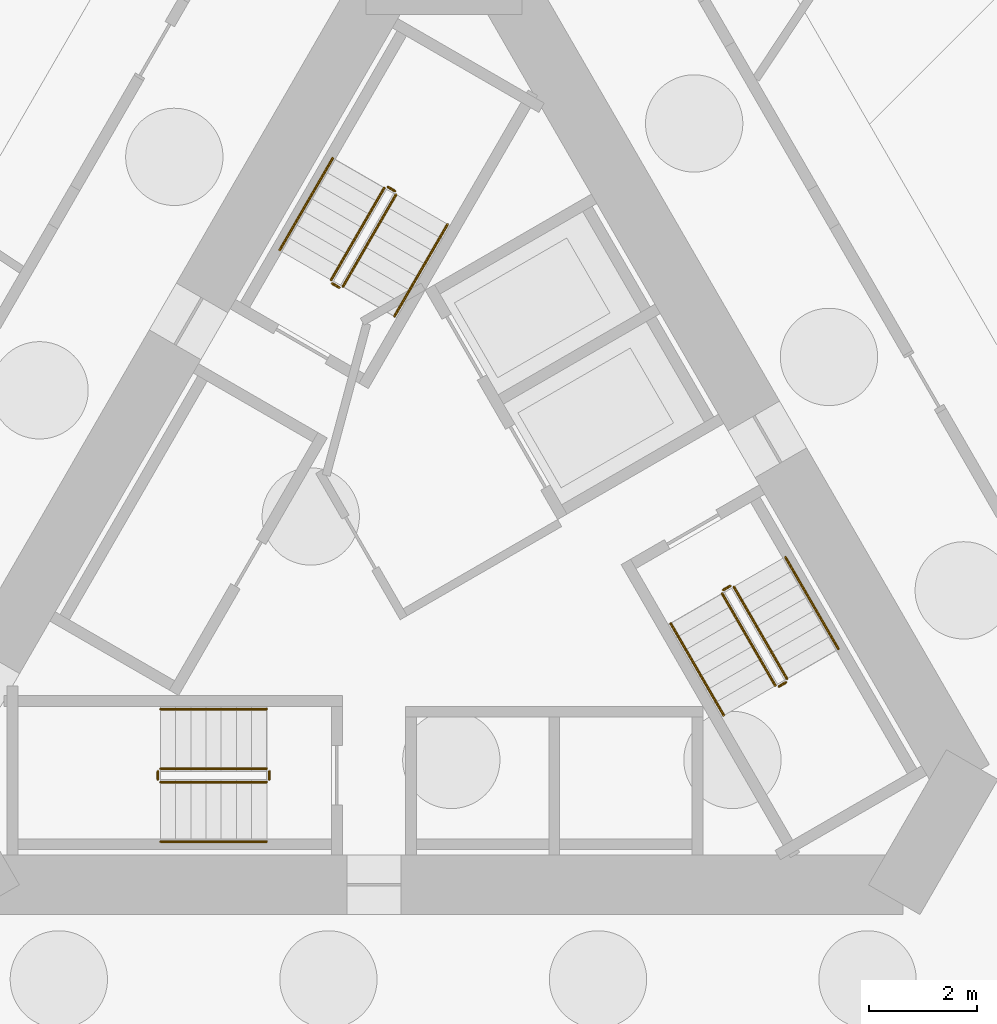
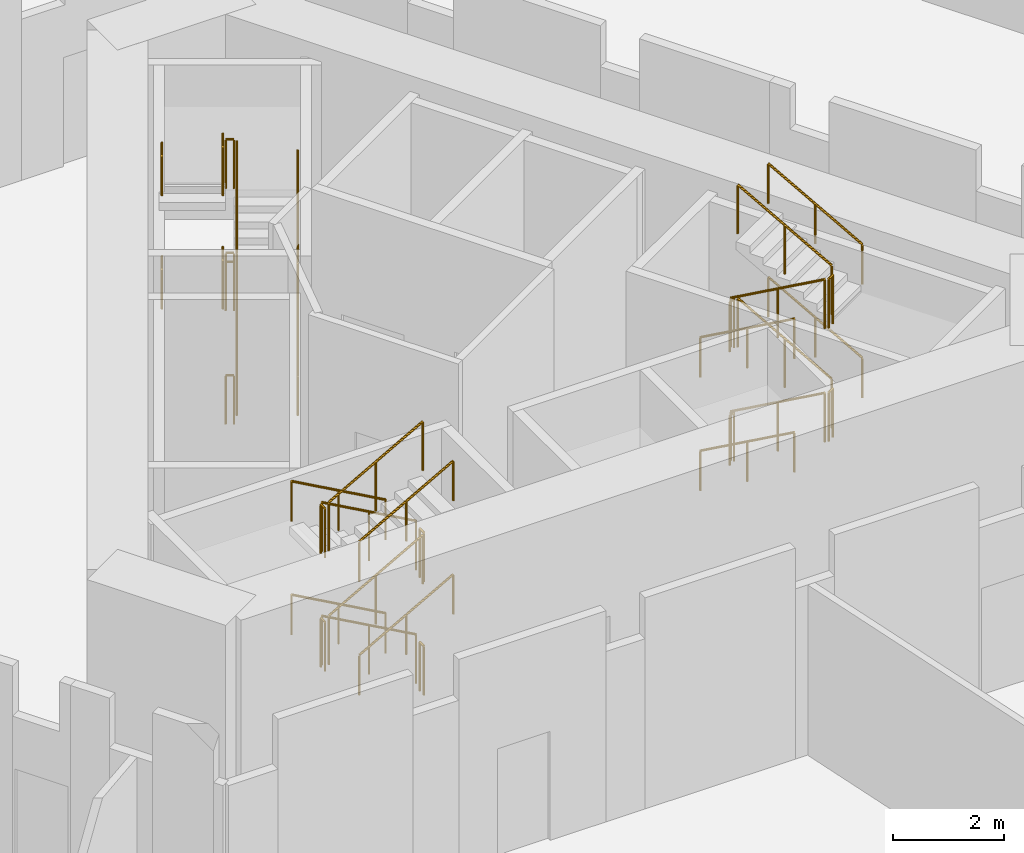
# One storey, part 6 of 7: 36 railings.
"""IFC4 building model written with IfcOpenShell, lengths in metres."""

from ifc_helpers import new_model, si_unit, direction, frame, origin, origin_2d, place, context, subcontext, project, spatial, circle, extrude, material, type_object, element, save


model = new_model("IFC4")

# Units and contexts
model_context = context("Model", 3, precision=1e-05, world=origin(), true_north=direction((0.0, 1.0)))
body_context = subcontext(model_context, "Body", "Model", "MODEL_VIEW")
ifc_project = project(units=[si_unit("LENGTHUNIT", "METRE"), si_unit("AREAUNIT", "SQUARE_METRE"), si_unit("VOLUMEUNIT", "CUBIC_METRE"), si_unit("PLANEANGLEUNIT", "RADIAN"), si_unit("MASSUNIT", "GRAM", prefix="KILO")], contexts=[model_context])

# Site, building, storey
site_placement = place(None, origin())
site = spatial("IfcSite", under=ifc_project, at=site_placement, CompositionType="ELEMENT")
building_placement = place(site_placement, origin())
building = spatial("IfcBuilding", under=site, at=building_placement, Name="Tramontana Tower", CompositionType="ELEMENT")
storey_placement = place(building_placement, frame((0.0, 0.0, -5.0)))
storey = spatial("IfcBuildingStorey", under=building, at=storey_placement, Name="B1", CompositionType="ELEMENT", Elevation=-5.0)

# Railings
ifc_material_1 = material(Name="Painted steel", Category="steel")
railing_type_1 = type_object("IfcRailingType", Name="STAIR GUARD 1100", PredefinedType="GUARDRAIL", material=ifc_material_1)
railing_1_placement = place(storey_placement, frame((-1.867431640625, 4.865478515625, 0.15625)))
element("IfcRailing", 1, at=railing_1_placement, inside=storey, type_object=railing_type_1, Name="B1 ST1 stair guard 1", PredefinedType="GUARDRAIL", context=body_context, shape_type="SweptSolid", body=[
    extrude(circle(Radius=0.02392578125, at=origin_2d()), frame((0.0, 0.0, 1.076171875), z_axis=(0.436596390967, 0.756266742998, 0.487282469241), x_axis=(-0.866042469362, 0.499970440388, 0.0)), (0.0, 0.0, 1.0), 2.24462890625),
    extrude(circle(Radius=0.02099609375, at=origin_2d()), origin(), (0.0, 0.0, 1.0), 1.052001953125),
    extrude(circle(Radius=0.02099609375, at=origin_2d()), frame((0.489990234375, 0.8486328125, 0.546875)), (0.0, 0.0, 1.0), 1.052001953125),
    extrude(circle(Radius=0.02099609375, at=origin_2d()), frame((0.97998046875, 1.697509765625, 1.09375)), (0.0, 0.0, 1.0), 1.052001953125),
])
railing_2_placement = place(storey_placement, frame((-1.10400390625, 6.68798828125, 1.40625)))
element("IfcRailing", 2, at=railing_2_placement, inside=storey, type_object=railing_type_1, Name="B1 ST1 stair guard 2", PredefinedType="GUARDRAIL", context=body_context, shape_type="SweptSolid", body=[
    extrude(circle(Radius=0.02392578125, at=origin_2d()), frame((0.0, 0.0, 1.076171875), z_axis=(-0.436596390967, -0.756266742998, 0.487282469241), x_axis=(0.866042469362, -0.499970440388, 0.0)), (0.0, 0.0, 1.0), 2.24462890625),
    extrude(circle(Radius=0.02099609375, at=origin_2d()), origin(), (0.0, 0.0, 1.0), 1.052001953125),
    extrude(circle(Radius=0.02099609375, at=origin_2d()), frame((-0.489990234375, -0.8486328125, 0.546875)), (0.0, 0.0, 1.0), 1.052001953125),
    extrude(circle(Radius=0.02099609375, at=origin_2d()), frame((-0.97998046875, -1.697509765625, 1.09375)), (0.0, 0.0, 1.0), 1.052001953125),
])
railing_3_placement = place(storey_placement, frame((-1.867431640625, 4.865478515625, 2.65625)))
element("IfcRailing", 3, at=railing_3_placement, inside=storey, type_object=railing_type_1, Name="B1 ST1 stair guard 3", PredefinedType="GUARDRAIL", context=body_context, shape_type="SweptSolid", body=[
    extrude(circle(Radius=0.02392578125, at=origin_2d()), frame((0.0, 0.0, 1.076171875), z_axis=(0.436596390967, 0.756266742998, 0.487282469241), x_axis=(-0.866042469362, 0.499970440388, 0.0)), (0.0, 0.0, 1.0), 2.24462890625),
    extrude(circle(Radius=0.02099609375, at=origin_2d()), origin(), (0.0, 0.0, 1.0), 1.052001953125),
    extrude(circle(Radius=0.02099609375, at=origin_2d()), frame((0.489990234375, 0.8486328125, 0.546875)), (0.0, 0.0, 1.0), 1.052001953125),
    extrude(circle(Radius=0.02099609375, at=origin_2d()), frame((0.97998046875, 1.697509765625, 1.09375)), (0.0, 0.0, 1.0), 1.052001953125),
])
railing_4_placement = place(storey_placement, frame((-1.10400390625, 6.68798828125, 3.90625)))
element("IfcRailing", 4, at=railing_4_placement, inside=storey, type_object=railing_type_1, Name="B1 ST1 stair guard 4", PredefinedType="GUARDRAIL", context=body_context, shape_type="SweptSolid", body=[
    extrude(circle(Radius=0.02392578125, at=origin_2d()), frame((0.0, 0.0, 1.076171875), z_axis=(-0.436596390967, -0.756266742998, 0.487282469241), x_axis=(0.866042469362, -0.499970440388, 0.0)), (0.0, 0.0, 1.0), 2.24462890625),
    extrude(circle(Radius=0.02099609375, at=origin_2d()), origin(), (0.0, 0.0, 1.0), 1.052001953125),
    extrude(circle(Radius=0.02099609375, at=origin_2d()), frame((-0.489990234375, -0.8486328125, 0.546875)), (0.0, 0.0, 1.0), 1.052001953125),
    extrude(circle(Radius=0.02099609375, at=origin_2d()), frame((-0.97998046875, -1.697509765625, 1.09375)), (0.0, 0.0, 1.0), 1.052001953125),
])
railing_5_placement = place(storey_placement, frame((-0.90576171875, 6.63134765625, 1.25)))
element("IfcRailing", 5, at=railing_5_placement, inside=storey, type_object=railing_type_1, Name="B1 ST1 stair guard 5", PredefinedType="GUARDRAIL", context=body_context, shape_type="SweptSolid", body=[
    extrude(circle(Radius=0.02392578125, at=origin_2d()), frame((0.0, 0.0, 1.076171875), z_axis=(-0.866131372301, 0.499816412211, 0.0), x_axis=(-0.499816412211, -0.866131372301, 0.0)), (0.0, 0.0, 1.0), 0.14990234375),
    extrude(circle(Radius=0.02099609375, at=origin_2d()), origin(), (0.0, 0.0, 1.0), 1.052001953125),
    extrude(circle(Radius=0.02099609375, at=origin_2d()), frame((-0.1298828125, 0.074951171875, 0.0)), (0.0, 0.0, 1.0), 1.052001953125),
])
railing_6_placement = place(storey_placement, frame((-1.935791015625, 4.84716796875, 2.5)))
element("IfcRailing", 6, at=railing_6_placement, inside=storey, type_object=railing_type_1, Name="B1 ST1 stair guard 6", PredefinedType="GUARDRAIL", context=body_context, shape_type="SweptSolid", body=[
    extrude(circle(Radius=0.02392578125, at=origin_2d()), frame((0.0, 0.0, 1.076171875), z_axis=(-0.865426285481, 0.501036270542, 0.0), x_axis=(-0.501036270542, -0.865426285481, 0.0)), (0.0, 0.0, 1.0), 0.150146484375),
    extrude(circle(Radius=0.02099609375, at=origin_2d()), origin(), (0.0, 0.0, 1.0), 1.052001953125),
    extrude(circle(Radius=0.02099609375, at=origin_2d()), frame((-0.1298828125, 0.0751953125, 0.0)), (0.0, 0.0, 1.0), 1.052001953125),
])
railing_7_placement = place(storey_placement, frame((-0.90576171875, 6.63134765625, 3.75)))
element("IfcRailing", 7, at=railing_7_placement, inside=storey, type_object=railing_type_1, Name="B1 ST1 stair guard 7", PredefinedType="GUARDRAIL", context=body_context, shape_type="SweptSolid", body=[
    extrude(circle(Radius=0.02392578125, at=origin_2d()), frame((0.0, 0.0, 1.076171875), z_axis=(-0.866131372301, 0.499816412211, 0.0), x_axis=(-0.499816412211, -0.866131372301, 0.0)), (0.0, 0.0, 1.0), 0.14990234375),
    extrude(circle(Radius=0.02099609375, at=origin_2d()), origin(), (0.0, 0.0, 1.0), 1.052001953125),
    extrude(circle(Radius=0.02099609375, at=origin_2d()), frame((-0.1298828125, 0.074951171875, 0.0)), (0.0, 0.0, 1.0), 1.052001953125),
])
railing_8_placement = place(storey_placement, frame((-1.935791015625, 4.84716796875, 0.0)))
element("IfcRailing", 8, at=railing_8_placement, inside=storey, type_object=railing_type_1, Name="B1 ST1 stair guard 8", PredefinedType="GUARDRAIL", context=body_context, shape_type="SweptSolid", body=[
    extrude(circle(Radius=0.02392578125, at=origin_2d()), frame((0.0, 0.0, 1.076171875), z_axis=(-0.865426285481, 0.501036270542, 0.0), x_axis=(-0.501036270542, -0.865426285481, 0.0)), (0.0, 0.0, 1.0), 0.150146484375),
    extrude(circle(Radius=0.02099609375, at=origin_2d()), origin(), (0.0, 0.0, 1.0), 1.052001953125),
    extrude(circle(Radius=0.02099609375, at=origin_2d()), frame((-0.1298828125, 0.0751953125, 0.0)), (0.0, 0.0, 1.0), 1.052001953125),
])
railing_9_placement = place(storey_placement, frame((-3.280029296875, -4.050048828125, 0.15625)))
element("IfcRailing", 9, at=railing_9_placement, inside=storey, type_object=railing_type_1, Name="B1 ST2 stair guard 1", PredefinedType="GUARDRAIL", context=body_context, shape_type="SweptSolid", body=[
    extrude(circle(Radius=0.02392578125, at=origin_2d()), frame((0.0, 0.0, 1.076171875), z_axis=(-0.873232148454, 0.0, 0.487304437602), x_axis=(0.0, -1.0, 0.0)), (0.0, 0.0, 1.0), 2.244384765625),
    extrude(circle(Radius=0.02099609375, at=origin_2d()), origin(), (0.0, 0.0, 1.0), 1.052001953125),
    extrude(circle(Radius=0.02099609375, at=origin_2d()), frame((-0.97998046875, 0.0, 0.546875)), (0.0, 0.0, 1.0), 1.052001953125),
    extrude(circle(Radius=0.02099609375, at=origin_2d()), frame((-1.9599609375, 0.0, 1.09375)), (0.0, 0.0, 1.0), 1.052001953125),
])
railing_10_placement = place(storey_placement, frame((-5.239990234375, -4.300048828125, 1.40625)))
element("IfcRailing", 10, at=railing_10_placement, inside=storey, type_object=railing_type_1, Name="B1 ST2 stair guard 2", PredefinedType="GUARDRAIL", context=body_context, shape_type="SweptSolid", body=[
    extrude(circle(Radius=0.02392578125, at=origin_2d()), frame((0.0, 0.0, 1.076171875), z_axis=(0.873232148454, 0.0, 0.487304437602), x_axis=(0.0, 1.0, 0.0)), (0.0, 0.0, 1.0), 2.244384765625),
    extrude(circle(Radius=0.02099609375, at=origin_2d()), origin(), (0.0, 0.0, 1.0), 1.052001953125),
    extrude(circle(Radius=0.02099609375, at=origin_2d()), frame((0.97998046875, 0.0, 0.546875)), (0.0, 0.0, 1.0), 1.052001953125),
    extrude(circle(Radius=0.02099609375, at=origin_2d()), frame((1.9599609375, 0.0, 1.09375)), (0.0, 0.0, 1.0), 1.052001953125),
])
railing_11_placement = place(storey_placement, frame((-3.280029296875, -4.050048828125, 2.65625)))
element("IfcRailing", 11, at=railing_11_placement, inside=storey, type_object=railing_type_1, Name="B1 ST2 stair guard 3", PredefinedType="GUARDRAIL", context=body_context, shape_type="SweptSolid", body=[
    extrude(circle(Radius=0.02392578125, at=origin_2d()), frame((0.0, 0.0, 1.076171875), z_axis=(-0.873232148454, 0.0, 0.487304437602), x_axis=(0.0, -1.0, 0.0)), (0.0, 0.0, 1.0), 2.244384765625),
    extrude(circle(Radius=0.02099609375, at=origin_2d()), origin(), (0.0, 0.0, 1.0), 1.052001953125),
    extrude(circle(Radius=0.02099609375, at=origin_2d()), frame((-0.97998046875, 0.0, 0.546875)), (0.0, 0.0, 1.0), 1.052001953125),
    extrude(circle(Radius=0.02099609375, at=origin_2d()), frame((-1.9599609375, 0.0, 1.09375)), (0.0, 0.0, 1.0), 1.052001953125),
])
railing_12_placement = place(storey_placement, frame((-5.239990234375, -4.300048828125, 3.90625)))
element("IfcRailing", 12, at=railing_12_placement, inside=storey, type_object=railing_type_1, Name="B1 ST2 stair guard 4", PredefinedType="GUARDRAIL", context=body_context, shape_type="SweptSolid", body=[
    extrude(circle(Radius=0.02392578125, at=origin_2d()), frame((0.0, 0.0, 1.076171875), z_axis=(0.873232148454, 0.0, 0.487304437602), x_axis=(0.0, 1.0, 0.0)), (0.0, 0.0, 1.0), 2.244384765625),
    extrude(circle(Radius=0.02099609375, at=origin_2d()), origin(), (0.0, 0.0, 1.0), 1.052001953125),
    extrude(circle(Radius=0.02099609375, at=origin_2d()), frame((0.97998046875, 0.0, 0.546875)), (0.0, 0.0, 1.0), 1.052001953125),
    extrude(circle(Radius=0.02099609375, at=origin_2d()), frame((1.9599609375, 0.0, 1.09375)), (0.0, 0.0, 1.0), 1.052001953125),
])
for number, where, name in (
    (13, (-5.2900390625, -4.10009765625, 1.25), "B1 ST2 stair guard 5"),
    (14, (-3.22998046875, -4.10009765625, 2.5), "B1 ST2 stair guard 6"),
    (15, (-5.2900390625, -4.10009765625, 3.75), "B1 ST2 stair guard 7"),
    (16, (-3.22998046875, -4.10009765625, 0.0), "B1 ST2 stair guard 8"),
):
    element("IfcRailing", number, at=place(storey_placement, frame(where)), inside=storey, type_object=railing_type_1, Name=name, PredefinedType="GUARDRAIL", context=body_context, shape_type="SweptSolid", body=[
        extrude(circle(Radius=0.02392578125, at=origin_2d()), frame((0.0, 0.0, 1.076171875), z_axis=(0.0, -1.0, 0.0), x_axis=(1.0, 0.0, 0.0)), (0.0, 0.0, 1.0), 0.14990234375),
        extrude(circle(Radius=0.02099609375, at=origin_2d()), origin(), (0.0, 0.0, 1.0), 1.052001953125),
        extrude(circle(Radius=0.02099609375, at=origin_2d()), frame((0.0, -0.14990234375, 0.0)), (0.0, 0.0, 1.0), 1.052001953125),
    ])
railing_13_placement = place(storey_placement, frame((5.1474609375, -0.815673828125, 0.15625)))
element("IfcRailing", 17, at=railing_13_placement, inside=storey, type_object=railing_type_1, Name="B1 ST3 stair guard 1", PredefinedType="GUARDRAIL", context=body_context, shape_type="SweptSolid", body=[
    extrude(circle(Radius=0.02392578125, at=origin_2d()), frame((0.0, 0.0, 1.076171875), z_axis=(0.436632306331, -0.756220177781, 0.487322554151), x_axis=(0.866011328839, 0.500024377727, 0.0)), (0.0, 0.0, 1.0), 2.244384765625),
    extrude(circle(Radius=0.02099609375, at=origin_2d()), origin(), (0.0, 0.0, 1.0), 1.052001953125),
    extrude(circle(Radius=0.02099609375, at=origin_2d()), frame((0.489990234375, -0.8486328125, 0.546875)), (0.0, 0.0, 1.0), 1.052001953125),
    extrude(circle(Radius=0.02099609375, at=origin_2d()), frame((0.97998046875, -1.697265625, 1.09375)), (0.0, 0.0, 1.0), 1.052001953125),
])
railing_14_placement = place(storey_placement, frame((6.343994140625, -2.387939453125, 1.40625)))
element("IfcRailing", 18, at=railing_14_placement, inside=storey, type_object=railing_type_1, Name="B1 ST3 stair guard 2", PredefinedType="GUARDRAIL", context=body_context, shape_type="SweptSolid", body=[
    extrude(circle(Radius=0.02392578125, at=origin_2d()), frame((0.0, 0.0, 1.076171875), z_axis=(-0.436632306331, 0.756220177781, 0.487322554151), x_axis=(-0.866011328839, -0.500024377727, 0.0)), (0.0, 0.0, 1.0), 2.244384765625),
    extrude(circle(Radius=0.02099609375, at=origin_2d()), origin(), (0.0, 0.0, 1.0), 1.052001953125),
    extrude(circle(Radius=0.02099609375, at=origin_2d()), frame((-0.489990234375, 0.8486328125, 0.546875)), (0.0, 0.0, 1.0), 1.052001953125),
    extrude(circle(Radius=0.02099609375, at=origin_2d()), frame((-0.97998046875, 1.697265625, 1.09375)), (0.0, 0.0, 1.0), 1.052001953125),
])
railing_15_placement = place(storey_placement, frame((5.1474609375, -0.815673828125, 2.65625)))
element("IfcRailing", 19, at=railing_15_placement, inside=storey, type_object=railing_type_1, Name="B1 ST3 stair guard 3", PredefinedType="GUARDRAIL", context=body_context, shape_type="SweptSolid", body=[
    extrude(circle(Radius=0.02392578125, at=origin_2d()), frame((0.0, 0.0, 1.076171875), z_axis=(0.436632306331, -0.756220177781, 0.487322554151), x_axis=(0.866011328839, 0.500024377727, 0.0)), (0.0, 0.0, 1.0), 2.244384765625),
    extrude(circle(Radius=0.02099609375, at=origin_2d()), origin(), (0.0, 0.0, 1.0), 1.052001953125),
    extrude(circle(Radius=0.02099609375, at=origin_2d()), frame((0.489990234375, -0.8486328125, 0.546875)), (0.0, 0.0, 1.0), 1.052001953125),
    extrude(circle(Radius=0.02099609375, at=origin_2d()), frame((0.97998046875, -1.697265625, 1.09375)), (0.0, 0.0, 1.0), 1.052001953125),
])
railing_16_placement = place(storey_placement, frame((6.343994140625, -2.387939453125, 3.90625)))
element("IfcRailing", 20, at=railing_16_placement, inside=storey, type_object=railing_type_1, Name="B1 ST3 stair guard 4", PredefinedType="GUARDRAIL", context=body_context, shape_type="SweptSolid", body=[
    extrude(circle(Radius=0.02392578125, at=origin_2d()), frame((0.0, 0.0, 1.076171875), z_axis=(-0.436632306331, 0.756220177781, 0.487322554151), x_axis=(-0.866011328839, -0.500024377727, 0.0)), (0.0, 0.0, 1.0), 2.244384765625),
    extrude(circle(Radius=0.02099609375, at=origin_2d()), origin(), (0.0, 0.0, 1.0), 1.052001953125),
    extrude(circle(Radius=0.02099609375, at=origin_2d()), frame((-0.489990234375, 0.8486328125, 0.546875)), (0.0, 0.0, 1.0), 1.052001953125),
    extrude(circle(Radius=0.02099609375, at=origin_2d()), frame((-0.97998046875, 1.697265625, 1.09375)), (0.0, 0.0, 1.0), 1.052001953125),
])
for number, where, name in (
    (21, (6.19580078125, -2.53125, 1.25), "B1 ST3 stair guard 5"),
    (22, (5.165771484375, -0.747314453125, 2.5), "B1 ST3 stair guard 6"),
    (23, (6.19580078125, -2.53125, 3.75), "B1 ST3 stair guard 7"),
    (24, (5.165771484375, -0.747314453125, 0.0), "B1 ST3 stair guard 8"),
):
    element("IfcRailing", number, at=place(storey_placement, frame(where)), inside=storey, type_object=railing_type_1, Name=name, PredefinedType="GUARDRAIL", context=body_context, shape_type="SweptSolid", body=[
        extrude(circle(Radius=0.02392578125, at=origin_2d()), frame((0.0, 0.0, 1.076171875), z_axis=(0.866131372301, 0.499816412211, 0.0), x_axis=(-0.499816412211, 0.866131372301, 0.0)), (0.0, 0.0, 1.0), 0.14990234375),
        extrude(circle(Radius=0.02099609375, at=origin_2d()), origin(), (0.0, 0.0, 1.0), 1.052001953125),
        extrude(circle(Radius=0.02099609375, at=origin_2d()), frame((0.1298828125, 0.074951171875, 0.0)), (0.0, 0.0, 1.0), 1.052001953125),
    ])
ifc_material_2 = material(Name="Painted steel", Category="steel")
railing_type_2 = type_object("IfcRailingType", Name="STAIR HANDRAIL 900", PredefinedType="HANDRAIL", material=ifc_material_2)
railing_17_placement = place(storey_placement, frame((-0.914794921875, 4.315673828125, 0.15625)))
element("IfcRailing", 25, at=railing_17_placement, inside=storey, type_object=railing_type_2, Name="B1 ST1 stair handrail 1", PredefinedType="HANDRAIL", context=body_context, shape_type="SweptSolid", body=[
    extrude(circle(Radius=0.02392578125, at=origin_2d()), frame((0.0, 0.0, 0.8759765625), z_axis=(0.436632306331, 0.756220177781, 0.487322554151), x_axis=(-0.866011328839, 0.500024377727, 0.0)), (0.0, 0.0, 1.0), 2.244384765625),
    extrude(circle(Radius=0.02099609375, at=origin_2d()), origin(), (0.0, 0.0, 1.0), 0.851806640625),
    extrude(circle(Radius=0.02099609375, at=origin_2d()), frame((0.489990234375, 0.8486328125, 0.546875)), (0.0, 0.0, 1.0), 0.851806640625),
    extrude(circle(Radius=0.02099609375, at=origin_2d()), frame((0.97998046875, 1.697265625, 1.09375)), (0.0, 0.0, 1.0), 0.851806640625),
])
railing_18_placement = place(storey_placement, frame((-2.056640625, 7.238037109375, 1.40625)))
element("IfcRailing", 26, at=railing_18_placement, inside=storey, type_object=railing_type_2, Name="B1 ST1 stair handrail 2", PredefinedType="HANDRAIL", context=body_context, shape_type="SweptSolid", body=[
    extrude(circle(Radius=0.02392578125, at=origin_2d()), frame((0.0, 0.0, 0.8759765625), z_axis=(-0.436596390967, -0.756266742998, 0.487282469241), x_axis=(0.866042469362, -0.499970440388, 0.0)), (0.0, 0.0, 1.0), 2.24462890625),
    extrude(circle(Radius=0.02099609375, at=origin_2d()), origin(), (0.0, 0.0, 1.0), 0.851806640625),
    extrude(circle(Radius=0.02099609375, at=origin_2d()), frame((-0.489990234375, -0.8486328125, 0.546875)), (0.0, 0.0, 1.0), 0.851806640625),
    extrude(circle(Radius=0.02099609375, at=origin_2d()), frame((-0.97998046875, -1.697509765625, 1.09375)), (0.0, 0.0, 1.0), 0.851806640625),
])
railing_19_placement = place(storey_placement, frame((-0.914794921875, 4.315673828125, 2.65625)))
element("IfcRailing", 27, at=railing_19_placement, inside=storey, type_object=railing_type_2, Name="B1 ST1 stair handrail 3", PredefinedType="HANDRAIL", context=body_context, shape_type="SweptSolid", body=[
    extrude(circle(Radius=0.02392578125, at=origin_2d()), frame((0.0, 0.0, 0.8759765625), z_axis=(0.436632306331, 0.756220177781, 0.487322554151), x_axis=(-0.866011328839, 0.500024377727, 0.0)), (0.0, 0.0, 1.0), 2.244384765625),
    extrude(circle(Radius=0.02099609375, at=origin_2d()), origin(), (0.0, 0.0, 1.0), 0.851806640625),
    extrude(circle(Radius=0.02099609375, at=origin_2d()), frame((0.489990234375, 0.8486328125, 0.546875)), (0.0, 0.0, 1.0), 0.851806640625),
    extrude(circle(Radius=0.02099609375, at=origin_2d()), frame((0.97998046875, 1.697265625, 1.09375)), (0.0, 0.0, 1.0), 0.851806640625),
])
railing_20_placement = place(storey_placement, frame((-2.056640625, 7.238037109375, 3.90625)))
element("IfcRailing", 28, at=railing_20_placement, inside=storey, type_object=railing_type_2, Name="B1 ST1 stair handrail 4", PredefinedType="HANDRAIL", context=body_context, shape_type="SweptSolid", body=[
    extrude(circle(Radius=0.02392578125, at=origin_2d()), frame((0.0, 0.0, 0.8759765625), z_axis=(-0.436596390967, -0.756266742998, 0.487282469241), x_axis=(0.866042469362, -0.499970440388, 0.0)), (0.0, 0.0, 1.0), 2.24462890625),
    extrude(circle(Radius=0.02099609375, at=origin_2d()), origin(), (0.0, 0.0, 1.0), 0.851806640625),
    extrude(circle(Radius=0.02099609375, at=origin_2d()), frame((-0.489990234375, -0.8486328125, 0.546875)), (0.0, 0.0, 1.0), 0.851806640625),
    extrude(circle(Radius=0.02099609375, at=origin_2d()), frame((-0.97998046875, -1.697509765625, 1.09375)), (0.0, 0.0, 1.0), 0.851806640625),
])
railing_21_placement = place(storey_placement, frame((-3.280029296875, -2.949951171875, 0.15625)))
element("IfcRailing", 29, at=railing_21_placement, inside=storey, type_object=railing_type_2, Name="B1 ST2 stair handrail 1", PredefinedType="HANDRAIL", context=body_context, shape_type="SweptSolid", body=[
    extrude(circle(Radius=0.02392578125, at=origin_2d()), frame((0.0, 0.0, 0.8759765625), z_axis=(-0.873232148454, 0.0, 0.487304437602), x_axis=(0.0, -1.0, 0.0)), (0.0, 0.0, 1.0), 2.244384765625),
    extrude(circle(Radius=0.02099609375, at=origin_2d()), origin(), (0.0, 0.0, 1.0), 0.851806640625),
    extrude(circle(Radius=0.02099609375, at=origin_2d()), frame((-0.97998046875, 0.0, 0.546875)), (0.0, 0.0, 1.0), 0.851806640625),
    extrude(circle(Radius=0.02099609375, at=origin_2d()), frame((-1.9599609375, 0.0, 1.09375)), (0.0, 0.0, 1.0), 0.851806640625),
])
railing_22_placement = place(storey_placement, frame((-5.239990234375, -5.39990234375, 1.40625)))
element("IfcRailing", 30, at=railing_22_placement, inside=storey, type_object=railing_type_2, Name="B1 ST2 stair handrail 2", PredefinedType="HANDRAIL", context=body_context, shape_type="SweptSolid", body=[
    extrude(circle(Radius=0.02392578125, at=origin_2d()), frame((0.0, 0.0, 0.8759765625), z_axis=(0.873232148454, 0.0, 0.487304437602), x_axis=(0.0, 1.0, 0.0)), (0.0, 0.0, 1.0), 2.244384765625),
    extrude(circle(Radius=0.02099609375, at=origin_2d()), origin(), (0.0, 0.0, 1.0), 0.851806640625),
    extrude(circle(Radius=0.02099609375, at=origin_2d()), frame((0.97998046875, 0.0, 0.546875)), (0.0, 0.0, 1.0), 0.851806640625),
    extrude(circle(Radius=0.02099609375, at=origin_2d()), frame((1.9599609375, 0.0, 1.09375)), (0.0, 0.0, 1.0), 0.851806640625),
])
railing_23_placement = place(storey_placement, frame((-3.280029296875, -2.949951171875, 2.65625)))
element("IfcRailing", 31, at=railing_23_placement, inside=storey, type_object=railing_type_2, Name="B1 ST2 stair handrail 3", PredefinedType="HANDRAIL", context=body_context, shape_type="SweptSolid", body=[
    extrude(circle(Radius=0.02392578125, at=origin_2d()), frame((0.0, 0.0, 0.8759765625), z_axis=(-0.873232148454, 0.0, 0.487304437602), x_axis=(0.0, -1.0, 0.0)), (0.0, 0.0, 1.0), 2.244384765625),
    extrude(circle(Radius=0.02099609375, at=origin_2d()), origin(), (0.0, 0.0, 1.0), 0.851806640625),
    extrude(circle(Radius=0.02099609375, at=origin_2d()), frame((-0.97998046875, 0.0, 0.546875)), (0.0, 0.0, 1.0), 0.851806640625),
    extrude(circle(Radius=0.02099609375, at=origin_2d()), frame((-1.9599609375, 0.0, 1.09375)), (0.0, 0.0, 1.0), 0.851806640625),
])
railing_24_placement = place(storey_placement, frame((-5.239990234375, -5.39990234375, 3.90625)))
element("IfcRailing", 32, at=railing_24_placement, inside=storey, type_object=railing_type_2, Name="B1 ST2 stair handrail 4", PredefinedType="HANDRAIL", context=body_context, shape_type="SweptSolid", body=[
    extrude(circle(Radius=0.02392578125, at=origin_2d()), frame((0.0, 0.0, 0.8759765625), z_axis=(0.873232148454, 0.0, 0.487304437602), x_axis=(0.0, 1.0, 0.0)), (0.0, 0.0, 1.0), 2.244384765625),
    extrude(circle(Radius=0.02099609375, at=origin_2d()), origin(), (0.0, 0.0, 1.0), 0.851806640625),
    extrude(circle(Radius=0.02099609375, at=origin_2d()), frame((0.97998046875, 0.0, 0.546875)), (0.0, 0.0, 1.0), 0.851806640625),
    extrude(circle(Radius=0.02099609375, at=origin_2d()), frame((1.9599609375, 0.0, 1.09375)), (0.0, 0.0, 1.0), 0.851806640625),
])
railing_25_placement = place(storey_placement, frame((4.19482421875, -1.365478515625, 0.15625)))
element("IfcRailing", 33, at=railing_25_placement, inside=storey, type_object=railing_type_2, Name="B1 ST3 stair handrail 1", PredefinedType="HANDRAIL", context=body_context, shape_type="SweptSolid", body=[
    extrude(circle(Radius=0.02392578125, at=origin_2d()), frame((0.0, 0.0, 0.8759765625), z_axis=(0.436596390967, -0.756266742998, 0.487282469241), x_axis=(0.866042469362, 0.499970440388, 0.0)), (0.0, 0.0, 1.0), 2.24462890625),
    extrude(circle(Radius=0.02099609375, at=origin_2d()), origin(), (0.0, 0.0, 1.0), 0.851806640625),
    extrude(circle(Radius=0.02099609375, at=origin_2d()), frame((0.489990234375, -0.8486328125, 0.546875)), (0.0, 0.0, 1.0), 0.851806640625),
    extrude(circle(Radius=0.02099609375, at=origin_2d()), frame((0.97998046875, -1.697509765625, 1.09375)), (0.0, 0.0, 1.0), 0.851806640625),
])
railing_26_placement = place(storey_placement, frame((7.296630859375, -1.837890625, 1.40625)))
element("IfcRailing", 34, at=railing_26_placement, inside=storey, type_object=railing_type_2, Name="B1 ST3 stair handrail 2", PredefinedType="HANDRAIL", context=body_context, shape_type="SweptSolid", body=[
    extrude(circle(Radius=0.02392578125, at=origin_2d()), frame((0.0, 0.0, 0.8759765625), z_axis=(-0.436632306331, 0.756220177781, 0.487322554151), x_axis=(-0.866011328839, -0.500024377727, 0.0)), (0.0, 0.0, 1.0), 2.244384765625),
    extrude(circle(Radius=0.02099609375, at=origin_2d()), origin(), (0.0, 0.0, 1.0), 0.851806640625),
    extrude(circle(Radius=0.02099609375, at=origin_2d()), frame((-0.489990234375, 0.8486328125, 0.546875)), (0.0, 0.0, 1.0), 0.851806640625),
    extrude(circle(Radius=0.02099609375, at=origin_2d()), frame((-0.97998046875, 1.697265625, 1.09375)), (0.0, 0.0, 1.0), 0.851806640625),
])
railing_27_placement = place(storey_placement, frame((4.19482421875, -1.365478515625, 2.65625)))
element("IfcRailing", 35, at=railing_27_placement, inside=storey, type_object=railing_type_2, Name="B1 ST3 stair handrail 3", PredefinedType="HANDRAIL", context=body_context, shape_type="SweptSolid", body=[
    extrude(circle(Radius=0.02392578125, at=origin_2d()), frame((0.0, 0.0, 0.8759765625), z_axis=(0.436596390967, -0.756266742998, 0.487282469241), x_axis=(0.866042469362, 0.499970440388, 0.0)), (0.0, 0.0, 1.0), 2.24462890625),
    extrude(circle(Radius=0.02099609375, at=origin_2d()), origin(), (0.0, 0.0, 1.0), 0.851806640625),
    extrude(circle(Radius=0.02099609375, at=origin_2d()), frame((0.489990234375, -0.8486328125, 0.546875)), (0.0, 0.0, 1.0), 0.851806640625),
    extrude(circle(Radius=0.02099609375, at=origin_2d()), frame((0.97998046875, -1.697509765625, 1.09375)), (0.0, 0.0, 1.0), 0.851806640625),
])
railing_28_placement = place(storey_placement, frame((7.296630859375, -1.837890625, 3.90625)))
element("IfcRailing", 36, at=railing_28_placement, inside=storey, type_object=railing_type_2, Name="B1 ST3 stair handrail 4", PredefinedType="HANDRAIL", context=body_context, shape_type="SweptSolid", body=[
    extrude(circle(Radius=0.02392578125, at=origin_2d()), frame((0.0, 0.0, 0.8759765625), z_axis=(-0.436632306331, 0.756220177781, 0.487322554151), x_axis=(-0.866011328839, -0.500024377727, 0.0)), (0.0, 0.0, 1.0), 2.244384765625),
    extrude(circle(Radius=0.02099609375, at=origin_2d()), origin(), (0.0, 0.0, 1.0), 0.851806640625),
    extrude(circle(Radius=0.02099609375, at=origin_2d()), frame((-0.489990234375, 0.8486328125, 0.546875)), (0.0, 0.0, 1.0), 0.851806640625),
    extrude(circle(Radius=0.02099609375, at=origin_2d()), frame((-0.97998046875, 1.697265625, 1.09375)), (0.0, 0.0, 1.0), 0.851806640625),
])

save(model, "model.ifc")
